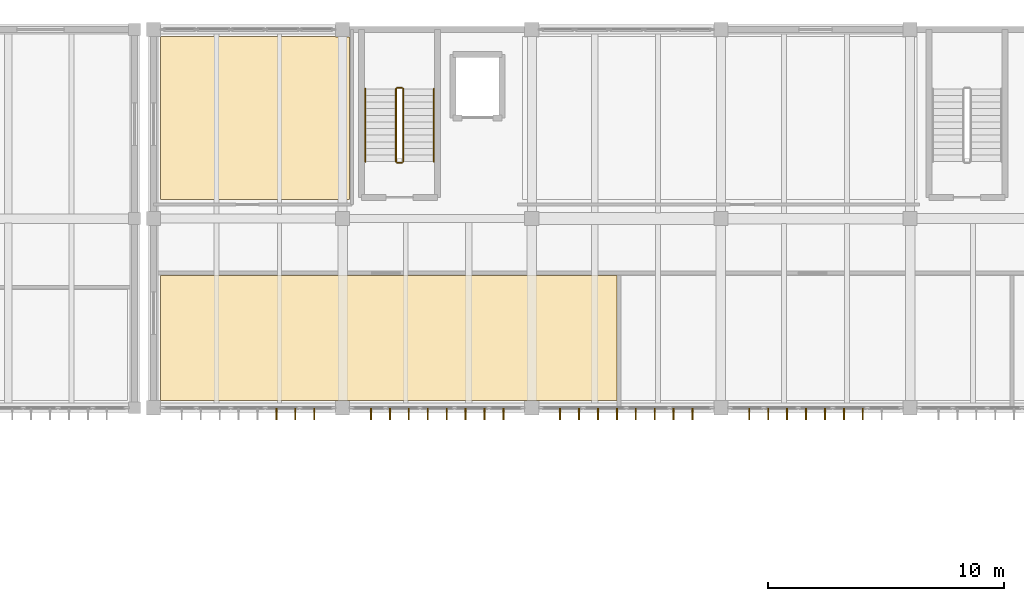
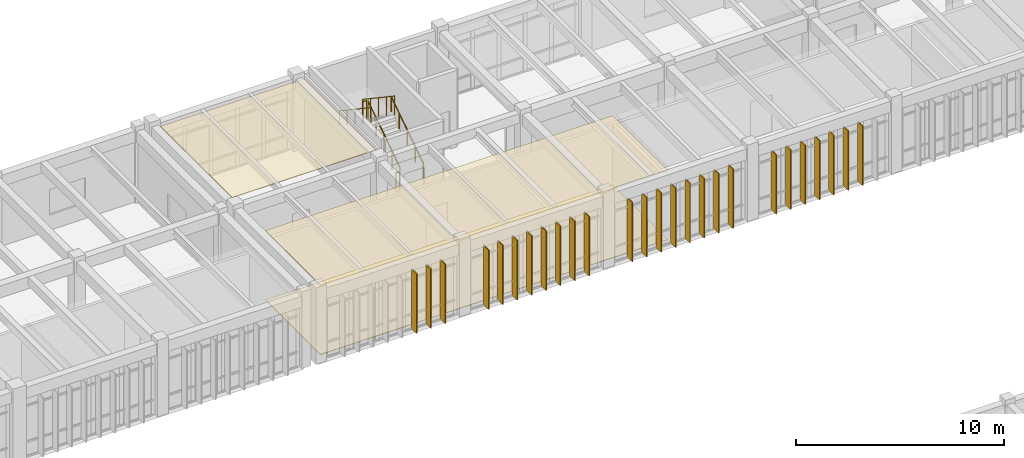
# One storey, part 76 of 79: 26 shading devices, 6 railings, 3 coverings.
"""IFC4 building model written with IfcOpenShell, lengths in metres."""

import ifcopenshell
import ifcopenshell.guid

model = None  # the IFC model being written
_history = None  # IfcOwnerHistory: only IFC2X3 demands one
_inside = {}  # id of a spatial element -> (the spatial element, [elements in it])
_under = {}  # id of a project, library or spatial element -> (it, [spatial elements below it])
_declared = {}  # id of a project -> (the project, [libraries it declares])
_typed = {}  # id of a type object -> (the type object, [elements of that type])
_made_of = {}  # id of a material, layer set ... -> (it, [elements and type objects made of it])


def new_model(schema):
    """Start an empty IFC model of exactly this schema.

    Asked for "IFC4X3", IfcOpenShell would pick the latest addendum, in which some entities
    have other attributes; the version numbers below select the first issue.
    IFC2X3 requires an IfcOwnerHistory on every rooted entity: one is made here for all.
    """
    global model, _history
    if schema == "IFC4X3":
        model = ifcopenshell.file(schema_version=(4, 3, 0, 0))
    else:
        model = ifcopenshell.file(schema=schema)
    _inside.clear()
    _under.clear()
    _declared.clear()
    _typed.clear()
    _made_of.clear()
    _history = None
    if model.schema == "IFC2X3":
        org = make("IfcOrganization", Name="unknown")
        user = make(
            "IfcPersonAndOrganization",
            ThePerson=make("IfcPerson", FamilyName="unknown"),
            TheOrganization=org,
        )
        app = make(
            "IfcApplication",
            ApplicationDeveloper=org,
            Version="unknown",
            ApplicationFullName="unknown",
            ApplicationIdentifier="unknown",
        )
        _history = make(
            "IfcOwnerHistory",
            OwningUser=user,
            OwningApplication=app,
            ChangeAction="ADDED",
            CreationDate=0,
        )
    return model


def make(cls, **values):
    """One entity of the class cls with the attributes given. An attribute that is None is left unset."""
    return model.create_entity(
        cls, **{name: value for name, value in values.items() if value is not None}
    )


def rooted(cls, **values):
    """An entity with a GlobalId (a new one), such as an element, a storey or a relation."""
    return make(cls, GlobalId=ifcopenshell.guid.new(), OwnerHistory=_history, **values)


def si_unit(unit_type, name, prefix=None):
    """IfcSIUnit, for example si_unit("LENGTHUNIT", "METRE", prefix="MILLI")."""
    return make("IfcSIUnit", UnitType=unit_type, Prefix=prefix, Name=name)


def assignment(units):
    """IfcUnitAssignment: the units of a project."""
    return None if units is None else make("IfcUnitAssignment", Units=units)


def point(xyz):
    """IfcCartesianPoint."""
    return None if xyz is None else make("IfcCartesianPoint", Coordinates=xyz)


def direction(xyz):
    """IfcDirection."""
    return None if xyz is None else make("IfcDirection", DirectionRatios=xyz)


def frame(location, z_axis=None, x_axis=None):
    """IfcAxis2Placement3D, a coordinate frame: its origin and axes. An axis left out is left unset."""
    return make(
        "IfcAxis2Placement3D",
        Location=point(location),
        Axis=direction(z_axis),
        RefDirection=direction(x_axis),
    )


def frame_2d(location, x_axis=None):
    """IfcAxis2Placement2D, a coordinate frame in the plane: its origin and x axis."""
    return make(
        "IfcAxis2Placement2D", Location=point(location), RefDirection=direction(x_axis)
    )


def origin():
    """The frame at (0, 0, 0) with its axes left unset."""
    return frame((0.0, 0.0, 0.0))


def origin_2d():
    """The frame at (0, 0) in the plane with its x axis left unset."""
    return frame_2d((0.0, 0.0))


def place(relative_to, where):
    """IfcLocalPlacement: puts the frame where relative to a parent placement (None: the world)."""
    return make(
        "IfcLocalPlacement", PlacementRelTo=relative_to, RelativePlacement=where
    )


def context(
    kind, dimensions, precision=None, world=None, true_north=None, identifier=None
):
    """IfcGeometricRepresentationContext, for example the 3D "Model" context."""
    return make(
        "IfcGeometricRepresentationContext",
        ContextIdentifier=identifier,
        ContextType=kind,
        CoordinateSpaceDimension=dimensions,
        Precision=precision,
        WorldCoordinateSystem=world,
        TrueNorth=true_north,
    )


def subcontext(parent, identifier, kind, view, scale=None):
    """IfcGeometricRepresentationSubContext, for example "Body" below "Model"."""
    return make(
        "IfcGeometricRepresentationSubContext",
        ContextIdentifier=identifier,
        ContextType=kind,
        ParentContext=parent,
        TargetScale=scale,
        TargetView=view,
    )


def project(units=None, contexts=None):
    """IfcProject with its units and contexts."""
    return rooted(
        "IfcProject",
        Name="project",
        RepresentationContexts=contexts,
        UnitsInContext=assignment(units),
    )


def spatial(cls, under=None, at=None, **own):
    """A site, building, storey or space (cls), placed at a placement, below another one or the project."""
    s = rooted(cls, ObjectPlacement=at, **own)
    if under is not None:
        _under.setdefault(under.id(), (under, []))[1].append(s)
    return s


def polyline(points):
    """IfcPolyline through the points."""
    return make("IfcPolyline", Points=[point(p) for p in points])


def profile(cls, at=None, kind="AREA", **sizes):
    """A parametric profile (cls). Its sizes go by their IFC names, for example OverallWidth=200.0."""
    return make(cls, ProfileType=kind, Position=at, **sizes)


def rectangle(**sizes):
    """IfcRectangleProfileDef."""
    return profile("IfcRectangleProfileDef", **sizes)


def circle(**sizes):
    """IfcCircleProfileDef."""
    return profile("IfcCircleProfileDef", **sizes)


def outline(outer, holes=None, kind="AREA"):
    """IfcArbitraryClosedProfileDef: a profile drawn as a closed curve; with holes, ...WithVoids."""
    if holes is None:
        return make("IfcArbitraryClosedProfileDef", ProfileType=kind, OuterCurve=outer)
    return make(
        "IfcArbitraryProfileDefWithVoids",
        ProfileType=kind,
        OuterCurve=outer,
        InnerCurves=holes,
    )


def extrude(swept, where, along, depth):
    """IfcExtrudedAreaSolid: the profile swept, set in the frame where, extruded along a direction by depth."""
    return make(
        "IfcExtrudedAreaSolid",
        SweptArea=swept,
        Position=where,
        ExtrudedDirection=direction(along),
        Depth=depth,
    )


def shape(context_of_items, identifier, shape_type, items):
    """IfcShapeRepresentation: the items that make up one representation, for example the "Body"."""
    return make(
        "IfcShapeRepresentation",
        ContextOfItems=context_of_items,
        RepresentationIdentifier=identifier,
        RepresentationType=shape_type,
        Items=items,
    )


def material(Name=None, Category=None):
    """IfcMaterial."""
    return make("IfcMaterial", Name=Name, Category=Category)


def layer(
    of_material, thickness, ventilated=None, Name=None, Category=None, Priority=None
):
    """IfcMaterialLayer: one layer of a wall or slab, of a material (None: an air gap)."""
    return make(
        "IfcMaterialLayer",
        Material=of_material,
        LayerThickness=thickness,
        IsVentilated=ventilated,
        Name=Name,
        Category=Category,
        Priority=Priority,
    )


def layer_set(layers, Name=None):
    """IfcMaterialLayerSet."""
    return make("IfcMaterialLayerSet", MaterialLayers=layers, LayerSetName=Name)


def made_of(thing, what):
    """Note that an element or type object is made of a material, layer set ...; save() writes the relation."""
    if what is not None:
        _made_of.setdefault(what.id(), (what, []))[1].append(thing)
    return thing


def type_object(cls, material=None, **own):
    """A type object (cls), such as IfcWallType, which elements share."""
    return made_of(rooted(cls, **own), material)


def element(
    cls,
    number,
    at=None,
    inside=None,
    cuts=None,
    type_object=None,
    material=None,
    context=None,
    identifier="Body",
    shape_type=None,
    held_by="IfcProductDefinitionShape",
    body=None,
    shapes=None,
    **own,
):
    """One element of the class cls, such as IfcWall. Its Tag is "e" and its number.

    at: its placement. inside: the storey or other place that contains it. cuts: it is an
    opening in that element (IfcRelVoidsElement). A single representation is given by context,
    identifier, shape_type and body (its items); several are given by shapes. held_by: the class
    of the entity that holds the representations. save() writes the other relations.
    """
    e = rooted(cls, Tag="e%d" % number, ObjectPlacement=at, **own)
    if body is not None:
        shapes = [shape(context, identifier, shape_type, body)]
    if shapes is not None:
        e.Representation = make(held_by, Representations=shapes)
    if inside is not None:
        _inside.setdefault(inside.id(), (inside, []))[1].append(e)
    if cuts is not None:
        rooted(
            "IfcRelVoidsElement", RelatingBuildingElement=cuts, RelatedOpeningElement=e
        )
    if type_object is not None:
        _typed.setdefault(type_object.id(), (type_object, []))[1].append(e)
    return made_of(e, material)


def aggregate(whole, parts):
    """IfcRelAggregates: a whole, such as a stair, and the parts it consists of."""
    return rooted("IfcRelAggregates", RelatingObject=whole, RelatedObjects=parts)


def save(model, path):
    """Write the relations noted so far, then the file.

    IfcRelAggregates (storeys below a building ...), IfcRelContainedInSpatialStructure (elements
    in a storey), IfcRelDefinesByType, IfcRelAssociatesMaterial and IfcRelDeclares: one each for
    every whole, place, type object, material and project.
    """
    for whole, parts in _under.values():
        aggregate(whole, parts)
    for where, things in _inside.values():
        rooted(
            "IfcRelContainedInSpatialStructure",
            RelatedElements=things,
            RelatingStructure=where,
        )
    for kind, things in _typed.values():
        rooted("IfcRelDefinesByType", RelatedObjects=things, RelatingType=kind)
    for what, things in _made_of.values():
        rooted("IfcRelAssociatesMaterial", RelatedObjects=things, RelatingMaterial=what)
    for by, libraries in _declared.values():
        rooted("IfcRelDeclares", RelatingContext=by, RelatedDefinitions=libraries)
    model.write(path)


model = new_model("IFC4")

# Units and contexts
model_context = context("Model", 3, precision=1e-05, world=origin(), true_north=direction((0.0, 1.0)))
body_context = subcontext(model_context, "Body", "Model", "MODEL_VIEW")
ifc_project = project(units=[si_unit("LENGTHUNIT", "METRE"), si_unit("AREAUNIT", "SQUARE_METRE"), si_unit("VOLUMEUNIT", "CUBIC_METRE"), si_unit("PLANEANGLEUNIT", "RADIAN"), si_unit("MASSUNIT", "GRAM", prefix="KILO")], contexts=[model_context])

# Site, building, storey
site_placement = place(None, origin())
site = spatial("IfcSite", under=ifc_project, at=site_placement, CompositionType="ELEMENT")
building_placement = place(site_placement, origin())
building = spatial("IfcBuilding", under=site, at=building_placement, Name="Tlaxcora Railside Police Headquarters", CompositionType="ELEMENT")
storey_placement = place(building_placement, frame((0.0, 0.0, 9.0)))
storey = spatial("IfcBuildingStorey", under=building, at=storey_placement, Name="L02", CompositionType="ELEMENT", Elevation=9.0)

# Coverings
ifc_material_1 = material(Name="Mineral-fibre acoustic ceiling tile")
ifc_layer_1 = layer(ifc_material_1, 0.034912109375, Name="Mineral-fibre acoustic ceiling tile")
ifc_layer_set_1 = layer_set([ifc_layer_1], Name="Mineral-fibre acoustic ceiling tile")
covering_type_1 = type_object("IfcCoveringType", Name="Acoustic Suspended Ceiling CLG-01", PredefinedType="CEILING", material=ifc_layer_set_1)
covering_1_placement = place(storey_placement, frame((0.0, 0.0, 4.06494140625)))
element("IfcCovering", 1, at=covering_1_placement, inside=storey, type_object=covering_type_1, Name="Accessible WC and Lab Restrooms L02 suspended ceiling", PredefinedType="CEILING", context=body_context, shape_type="SweptSolid", body=[
    extrude(outline(polyline([(111.10009765625, 85.60009765625), (111.10009765625, 92.489990234375), (110.489990234375, 92.489990234375), (110.489990234375, 92.5), (103.110107421875, 92.5), (103.110107421875, 92.489990234375), (103.10009765625, 92.489990234375), (103.10009765625, 85.60009765625), (111.10009765625, 85.60009765625)])), origin(), (0.0, 0.0, 1.0), 0.03515625),
])
ifc_material_2 = material(Name="Heavy-duty resin and raised-access technical flooring")
ifc_layer_2 = layer(ifc_material_2, 0.02490234375, Name="Heavy-duty resin and raised-access technical flooring")
ifc_layer_set_2 = layer_set([ifc_layer_2], Name="Heavy-duty resin and raised-access technical flooring")
covering_type_2 = type_object("IfcCoveringType", Name="Epoxy Chemical-Resistant Lab Flooring FLR-02", PredefinedType="FLOORING", material=ifc_layer_set_2)
covering_2_placement = place(storey_placement, origin())
element("IfcCovering", 2, at=covering_2_placement, inside=storey, type_object=covering_type_2, Name="Forensic Biology and DNA Extraction Laboratory technical floor finish", PredefinedType="FLOORING", context=body_context, shape_type="SweptSolid", body=[
    extrude(outline(polyline([(111.110107421875, 77.10009765625), (118.489990234375, 77.10009765625), (118.489990234375, 77.110107421875), (119.110107421875, 77.110107421875), (119.110107421875, 77.10009765625), (122.409912109375, 77.10009765625), (122.409912109375, 82.39990234375), (103.10009765625, 82.39990234375), (103.10009765625, 77.110107421875), (103.110107421875, 77.110107421875), (103.110107421875, 77.10009765625), (110.489990234375, 77.10009765625), (110.489990234375, 77.110107421875), (111.110107421875, 77.110107421875), (111.110107421875, 77.10009765625)])), origin(), (0.0, 0.0, 1.0), 0.02490234375),
])
ifc_layer_3 = layer(ifc_material_1, 0.044921875, Name="Mineral-fibre acoustic ceiling tile")
ifc_layer_set_3 = layer_set([ifc_layer_3], Name="Mineral-fibre acoustic ceiling tile")
covering_type_3 = type_object("IfcCoveringType", Name="Laboratory Hygienic Ceiling CLG-02", PredefinedType="CEILING", material=ifc_layer_set_3)
covering_3_placement = place(storey_placement, frame((0.0, 0.0, 4.054931640625)))
element("IfcCovering", 3, at=covering_3_placement, inside=storey, type_object=covering_type_3, Name="Forensic Biology and DNA Extraction Laboratory suspended ceiling", PredefinedType="CEILING", context=body_context, shape_type="SweptSolid", body=[
    extrude(outline(polyline([(111.110107421875, 77.10009765625), (118.489990234375, 77.10009765625), (118.489990234375, 77.110107421875), (119.110107421875, 77.110107421875), (119.110107421875, 77.10009765625), (122.409912109375, 77.10009765625), (122.409912109375, 82.39990234375), (103.10009765625, 82.39990234375), (103.10009765625, 77.110107421875), (103.110107421875, 77.110107421875), (103.110107421875, 77.10009765625), (110.489990234375, 77.10009765625), (110.489990234375, 77.110107421875), (111.110107421875, 77.110107421875), (111.110107421875, 77.10009765625)])), origin(), (0.0, 0.0, 1.0), 0.045166015625),
])

# Shading devices
ifc_material_3 = material(Name="Bronze-anodised perforated aluminium sheet", Category="aluminium")
ifc_layer_4 = layer(ifc_material_3, 0.06494140625, Name="Bronze-anodised perforated aluminium sheet")
ifc_layer_set_4 = layer_set([ifc_layer_4], Name="Bronze-anodised perforated aluminium sheet")
shading_device_type = type_object("IfcShadingDeviceType", Name="Solar Control Fin SF-02", PredefinedType="JALOUSIE", material=ifc_layer_set_4)
for number, where, z_axis, x_axis, name in (
    (4, (108.0, 76.5400390625, 0.0400390625), (0.0, 0.0, 1.0), (0.0, -1.0, 0.0), "Vertical solar fin 829"),
    (5, (108.800048828125, 76.5400390625, 0.0400390625), (0.0, 0.0, 1.0), (0.0, -1.0, 0.0), "Vertical solar fin 830"),
    (6, (109.60009765625, 76.5400390625, 0.0400390625), (0.0, 0.0, 1.0), (0.0, -1.0, 0.0), "Vertical solar fin 831"),
    (7, (112.0, 76.5400390625, 0.0400390625), (0.0, 0.0, 1.0), (0.0, -1.0, 0.0), "Vertical solar fin 832"),
    (8, (112.800048828125, 76.5400390625, 0.0400390625), (0.0, 0.0, 1.0), (0.0, -1.0, 0.0), "Vertical solar fin 833"),
    (9, (113.60009765625, 76.5400390625, 0.0400390625), (0.0, 0.0, 1.0), (0.0, -1.0, 0.0), "Vertical solar fin 834"),
    (10, (114.39990234375, 76.5400390625, 0.0400390625), (0.0, 0.0, 1.0), (0.0, -1.0, 0.0), "Vertical solar fin 835"),
    (11, (115.199951171875, 76.5400390625, 0.0400390625), (0.0, 0.0, 1.0), (0.0, -1.0, 0.0), "Vertical solar fin 836"),
    (12, (116.0, 76.5400390625, 0.0400390625), (0.0, 0.0, 1.0), (0.0, -1.0, 0.0), "Vertical solar fin 837"),
    (13, (116.800048828125, 76.5400390625, 0.0400390625), (0.0, 0.0, 1.0), (0.0, -1.0, 0.0), "Vertical solar fin 838"),
    (14, (117.60009765625, 76.5400390625, 0.0400390625), (0.0, 0.0, 1.0), (0.0, -1.0, 0.0), "Vertical solar fin 839"),
    (15, (120.0, 76.5400390625, 0.0400390625), (0.0, 0.0, 1.0), (0.0, -1.0, 0.0), "Vertical solar fin 840"),
    (16, (120.800048828125, 76.5400390625, 0.0400390625), (0.0, 0.0, 1.0), (0.0, -1.0, 0.0), "Vertical solar fin 841"),
    (17, (121.60009765625, 76.5400390625, 0.0400390625), (0.0, 0.0, 1.0), (0.0, -1.0, 0.0), "Vertical solar fin 842"),
    (18, (122.39990234375, 76.5400390625, 0.0400390625), (0.0, 0.0, 1.0), (0.0, -1.0, 0.0), "Vertical solar fin 843"),
    (19, (123.199951171875, 76.5400390625, 0.0400390625), (0.0, 0.0, 1.0), (0.0, -1.0, 0.0), "Vertical solar fin 844"),
    (20, (124.0, 76.5400390625, 0.0400390625), (0.0, 0.0, 1.0), (0.0, -1.0, 0.0), "Vertical solar fin 845"),
    (21, (124.800048828125, 76.5400390625, 0.0400390625), (0.0, 0.0, 1.0), (0.0, -1.0, 0.0), "Vertical solar fin 846"),
    (22, (125.60009765625, 76.5400390625, 0.0400390625), (0.0, 0.0, 1.0), (0.0, -1.0, 0.0), "Vertical solar fin 847"),
    (23, (128.0, 76.5400390625, 0.0400390625), (0.0, 0.0, 1.0), (0.0, -1.0, 0.0), "Vertical solar fin 848"),
    (24, (128.800048828125, 76.5400390625, 0.0400390625), (0.0, 0.0, 1.0), (0.0, -1.0, 0.0), "Vertical solar fin 849"),
    (25, (129.60009765625, 76.5400390625, 0.0400390625), (0.0, 0.0, 1.0), (0.0, -1.0, 0.0), "Vertical solar fin 850"),
    (26, (130.39990234375, 76.5400390625, 0.0400390625), (0.0, 0.0, 1.0), (0.0, -1.0, 0.0), "Vertical solar fin 851"),
    (27, (131.199951171875, 76.5400390625, 0.0400390625), (0.0, 0.0, 1.0), (0.0, -1.0, 0.0), "Vertical solar fin 852"),
    (28, (132.0, 76.5400390625, 0.0400390625), (0.0, 0.0, 1.0), (0.0, -1.0, 0.0), "Vertical solar fin 853"),
    (29, (132.800048828125, 76.5400390625, 0.0400390625), (0.0, 0.0, 1.0), (0.0, -1.0, 0.0), "Vertical solar fin 854"),
):
    element("IfcShadingDevice", number, at=place(storey_placement, frame(where, z_axis=z_axis, x_axis=x_axis)), inside=storey, type_object=shading_device_type, Name=name, PredefinedType="JALOUSIE", context=body_context, shape_type="SweptSolid", body=[
        extrude(rectangle(XDim=0.47998046875, YDim=0.054931640625, at=origin_2d()), origin(), (0.0, 0.0, 1.0), 3.489990234375),
    ])

# Railings
ifc_material_4 = material(Name="Steel ASTM A992 Grade 50", Category="steel")
railing_type_1 = type_object("IfcRailingType", Name="Stair Well Guard Balustrade GR-02", PredefinedType="BALUSTRADE", material=ifc_material_4)
railing_1_placement = place(storey_placement, frame((113.360107421875, 87.2099609375, 0.1875)))
element("IfcRailing", 30, at=railing_1_placement, inside=storey, type_object=railing_type_1, Name="L02 ST3 stair guard 1", PredefinedType="BALUSTRADE", context=body_context, shape_type="SweptSolid", body=[
    extrude(circle(Radius=0.02392578125, at=origin_2d()), frame((0.0, 0.0, 1.09619140625), z_axis=(0.0, 0.830913701846, 0.55640131208), x_axis=(-1.0, 0.0, 0.0)), (0.0, 0.0, 1.0), 3.706787109375),
    extrude(circle(Radius=0.02099609375, at=origin_2d()), origin(), (0.0, 0.0, 1.0), 1.072021484375),
    extrude(circle(Radius=0.02099609375, at=origin_2d()), frame((0.0, 0.77001953125, 0.515625)), (0.0, 0.0, 1.0), 1.072021484375),
    extrude(circle(Radius=0.02099609375, at=origin_2d()), frame((0.0, 1.5400390625, 1.03125)), (0.0, 0.0, 1.0), 1.072021484375),
    extrude(circle(Radius=0.02099609375, at=origin_2d()), frame((0.0, 2.31005859375, 1.546875)), (0.0, 0.0, 1.0), 1.072021484375),
    extrude(circle(Radius=0.02099609375, at=origin_2d()), frame((0.0, 3.080078125, 2.0625)), (0.0, 0.0, 1.0), 1.072021484375),
])
railing_2_placement = place(storey_placement, frame((113.31005859375, 90.340087890625, 2.25)))
element("IfcRailing", 31, at=railing_2_placement, inside=storey, type_object=railing_type_1, Name="L02 ST3 stair guard 2", PredefinedType="BALUSTRADE", context=body_context, shape_type="SweptSolid", body=[
    extrude(circle(Radius=0.02392578125, at=origin_2d()), frame((0.0, 0.0, 1.09619140625), z_axis=(-1.0, 0.0, 0.0), x_axis=(0.0, -1.0, 0.0)), (0.0, 0.0, 1.0), 0.199951171875),
    extrude(circle(Radius=0.02099609375, at=origin_2d()), origin(), (0.0, 0.0, 1.0), 1.072021484375),
    extrude(circle(Radius=0.02099609375, at=origin_2d()), frame((-0.199951171875, 0.0, 0.0)), (0.0, 0.0, 1.0), 1.072021484375),
])
railing_3_placement = place(storey_placement, frame((113.06005859375, 90.2900390625, 2.4375)))
element("IfcRailing", 32, at=railing_3_placement, inside=storey, type_object=railing_type_1, Name="L02 ST3 stair guard 3", PredefinedType="BALUSTRADE", context=body_context, shape_type="SweptSolid", body=[
    extrude(circle(Radius=0.02392578125, at=origin_2d()), frame((0.0, 0.0, 1.09619140625), z_axis=(0.0, -0.830913701846, 0.55640131208), x_axis=(1.0, 0.0, 0.0)), (0.0, 0.0, 1.0), 3.706787109375),
    extrude(circle(Radius=0.02099609375, at=origin_2d()), origin(), (0.0, 0.0, 1.0), 1.072021484375),
    extrude(circle(Radius=0.02099609375, at=origin_2d()), frame((0.0, -0.77001953125, 0.515625)), (0.0, 0.0, 1.0), 1.072021484375),
    extrude(circle(Radius=0.02099609375, at=origin_2d()), frame((0.0, -1.5400390625, 1.03125)), (0.0, 0.0, 1.0), 1.072021484375),
    extrude(circle(Radius=0.02099609375, at=origin_2d()), frame((0.0, -2.31005859375, 1.546875)), (0.0, 0.0, 1.0), 1.072021484375),
    extrude(circle(Radius=0.02099609375, at=origin_2d()), frame((0.0, -3.080078125, 2.0625)), (0.0, 0.0, 1.0), 1.072021484375),
])
railing_4_placement = place(storey_placement, frame((113.31005859375, 87.159912109375, 0.0)))
element("IfcRailing", 33, at=railing_4_placement, inside=storey, type_object=railing_type_1, Name="L02 ST3 stair guard 4", PredefinedType="BALUSTRADE", context=body_context, shape_type="SweptSolid", body=[
    extrude(circle(Radius=0.02392578125, at=origin_2d()), frame((0.0, 0.0, 1.09619140625), z_axis=(-1.0, 0.0, 0.0), x_axis=(0.0, -1.0, 0.0)), (0.0, 0.0, 1.0), 0.199951171875),
    extrude(circle(Radius=0.02099609375, at=origin_2d()), origin(), (0.0, 0.0, 1.0), 1.072021484375),
    extrude(circle(Radius=0.02099609375, at=origin_2d()), frame((-0.199951171875, 0.0, 0.0)), (0.0, 0.0, 1.0), 1.072021484375),
])
railing_type_2 = type_object("IfcRailingType", Name="Stair and Ramp Handrail HR-01", PredefinedType="HANDRAIL", material=ifc_material_4)
railing_5_placement = place(storey_placement, frame((114.659912109375, 87.2099609375, 0.1875)))
element("IfcRailing", 34, at=railing_5_placement, inside=storey, type_object=railing_type_2, Name="L02 ST3 stair handrail 1", PredefinedType="HANDRAIL", context=body_context, shape_type="SweptSolid", body=[
    extrude(circle(Radius=0.02392578125, at=origin_2d()), frame((0.0, 0.0, 0.8759765625), z_axis=(0.0, 0.830913701846, 0.55640131208), x_axis=(-1.0, 0.0, 0.0)), (0.0, 0.0, 1.0), 3.706787109375),
    extrude(circle(Radius=0.02099609375, at=origin_2d()), origin(), (0.0, 0.0, 1.0), 0.851806640625),
    extrude(circle(Radius=0.02099609375, at=origin_2d()), frame((0.0, 0.77001953125, 0.515625)), (0.0, 0.0, 1.0), 0.851806640625),
    extrude(circle(Radius=0.02099609375, at=origin_2d()), frame((0.0, 1.5400390625, 1.03125)), (0.0, 0.0, 1.0), 0.851806640625),
    extrude(circle(Radius=0.02099609375, at=origin_2d()), frame((0.0, 2.31005859375, 1.546875)), (0.0, 0.0, 1.0), 0.851806640625),
    extrude(circle(Radius=0.02099609375, at=origin_2d()), frame((0.0, 3.080078125, 2.0625)), (0.0, 0.0, 1.0), 0.851806640625),
])
railing_6_placement = place(storey_placement, frame((111.760009765625, 90.2900390625, 2.4375)))
element("IfcRailing", 35, at=railing_6_placement, inside=storey, type_object=railing_type_2, Name="L02 ST3 stair handrail 2", PredefinedType="HANDRAIL", context=body_context, shape_type="SweptSolid", body=[
    extrude(circle(Radius=0.02392578125, at=origin_2d()), frame((0.0, 0.0, 0.8759765625), z_axis=(0.0, -0.830913701846, 0.55640131208), x_axis=(1.0, 0.0, 0.0)), (0.0, 0.0, 1.0), 3.706787109375),
    extrude(circle(Radius=0.02099609375, at=origin_2d()), origin(), (0.0, 0.0, 1.0), 0.851806640625),
    extrude(circle(Radius=0.02099609375, at=origin_2d()), frame((0.0, -0.77001953125, 0.515625)), (0.0, 0.0, 1.0), 0.851806640625),
    extrude(circle(Radius=0.02099609375, at=origin_2d()), frame((0.0, -1.5400390625, 1.03125)), (0.0, 0.0, 1.0), 0.851806640625),
    extrude(circle(Radius=0.02099609375, at=origin_2d()), frame((0.0, -2.31005859375, 1.546875)), (0.0, 0.0, 1.0), 0.851806640625),
    extrude(circle(Radius=0.02099609375, at=origin_2d()), frame((0.0, -3.080078125, 2.0625)), (0.0, 0.0, 1.0), 0.851806640625),
])

save(model, "model.ifc")
